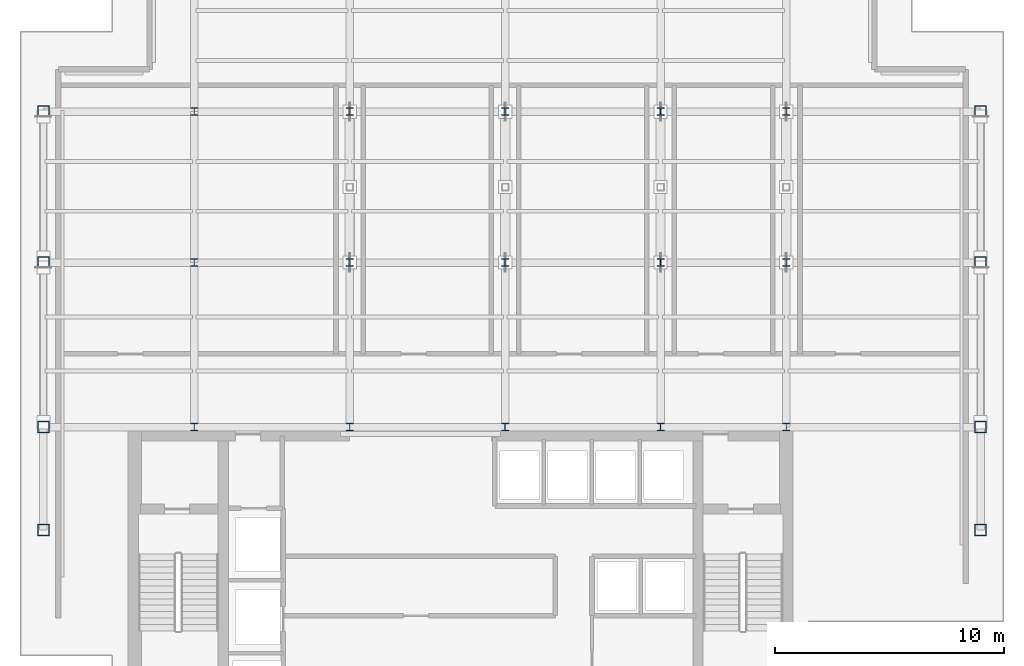
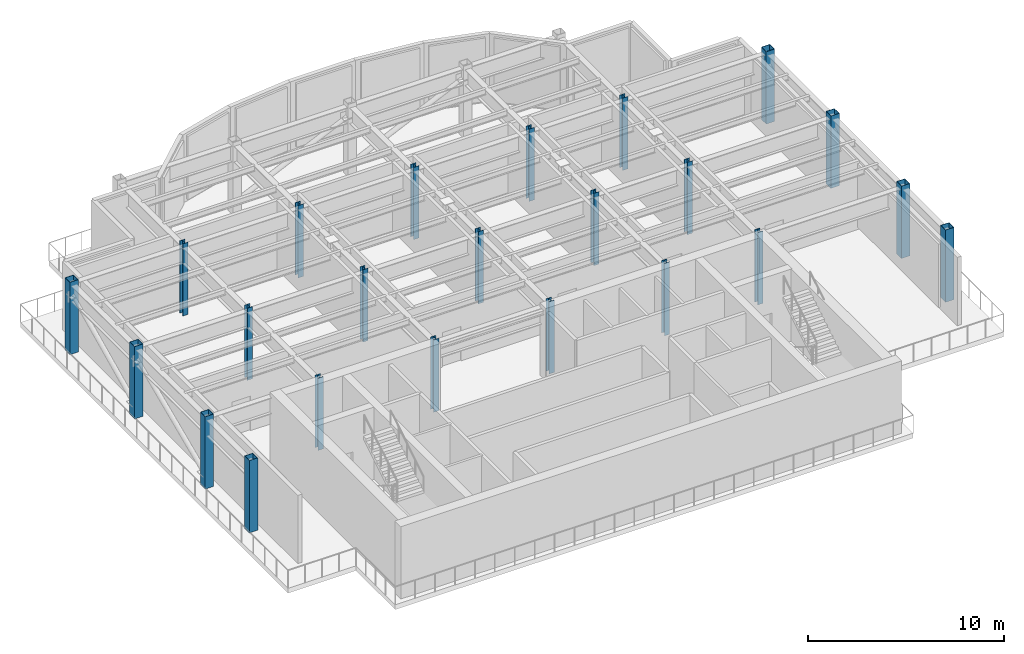
# One storey, part 1 of 7: 23 columns.
"""IFC4 building model written with IfcOpenShell, lengths in metres."""

from ifc_helpers import new_model, si_unit, derived_unit, direction, frame, origin, origin_2d, place, context, subcontext, project, spatial, hollow_rectangle, i_section, extrude, source, transform, mapped, material, material_profile, profile_set, type_object, element, save


model = new_model("IFC4")

# Units and contexts
model_context = context("Model", 3, precision=1e-05, world=origin(), true_north=direction((0.0, 1.0)))
body_context = subcontext(model_context, "Body", "Model", "MODEL_VIEW")
ifc_project = project(units=[si_unit("LENGTHUNIT", "METRE"), si_unit("AREAUNIT", "SQUARE_METRE"), si_unit("VOLUMEUNIT", "CUBIC_METRE"), si_unit("PLANEANGLEUNIT", "RADIAN"), si_unit("MASSUNIT", "GRAM", prefix="KILO"), derived_unit("THERMALTRANSMITTANCEUNIT", [(si_unit("POWERUNIT", "WATT"), 1), (si_unit("LENGTHUNIT", "METRE"), -2), (si_unit("THERMODYNAMICTEMPERATUREUNIT", "KELVIN"), -1)])], contexts=[model_context])

# Site, building, storey
site_placement = place(None, origin())
site = spatial("IfcSite", under=ifc_project, at=site_placement, CompositionType="ELEMENT")
building_placement = place(site_placement, origin())
building = spatial("IfcBuilding", under=site, at=building_placement, Name="Skarnbrae Concourse Arena and Tower", CompositionType="ELEMENT")
storey_placement = place(building_placement, frame((0.0, 0.0, 236.050048828125)))
storey = spatial("IfcBuildingStorey", under=building, at=storey_placement, Name="L61", CompositionType="ELEMENT", Elevation=236.050048828125)

# Columns
ifc_material = material(Name="Steel CSA G40.21 350W", Category="steel")
ifc_material_profile_1 = material_profile(ifc_material, hollow_rectangle(XDim=0.5, YDim=0.5, WallThickness=0.02197265625, at=origin_2d()), Name="HSS500X500X22.0")
ifc_profile_set_1 = profile_set([ifc_material_profile_1], Name="Steel CSA G40.21 350W")
column_type_1 = type_object("IfcColumnType", Name="COL-TUBE-HSS500", PredefinedType="COLUMN", material=ifc_profile_set_1)
shared_shape_1 = source(origin(), body_context, "Body", "SweptSolid", [
    extrude(hollow_rectangle(XDim=0.5, YDim=0.5, WallThickness=0.02197265625, at=origin_2d()), origin(), (0.0, 0.0, 1.0), 4.5),
])
for number, where, z_axis, x_axis, name in (
    (1, (1.0, 9.5, 0.0), (0.0, 0.0, 1.0), (1.0, 0.0, 0.0), "L61 Tower column PC_01_01"),
    (2, (1.0, 14.0, 0.0), (0.0, 0.0, 1.0), (1.0, 0.0, 0.0), "L61 Tower column PC_01_02"),
    (3, (1.0, 21.199951171875, 0.0), (0.0, 0.0, 1.0), (1.0, 0.0, 0.0), "L61 Tower column PC_01_03"),
    (4, (1.0, 27.800048828125, 0.0), (0.0, 0.0, 1.0), (1.0, 0.0, 0.0), "L61 Tower column PC_01_04"),
    (5, (42.0, 9.5, 0.0), (0.0, 0.0, 1.0), (1.0, 0.0, 0.0), "L61 Tower column PC_07_01"),
    (6, (42.0, 14.0, 0.0), (0.0, 0.0, 1.0), (1.0, 0.0, 0.0), "L61 Tower column PC_07_02"),
    (7, (42.0, 21.199951171875, 0.0), (0.0, 0.0, 1.0), (1.0, 0.0, 0.0), "L61 Tower column PC_07_03"),
    (8, (42.0, 27.800048828125, 0.0), (0.0, 0.0, 1.0), (1.0, 0.0, 0.0), "L61 Tower column PC_07_04"),
):
    element("IfcColumn", number, at=place(storey_placement, frame(where, z_axis=z_axis, x_axis=x_axis)), inside=storey, type_object=column_type_1, Name=name, PredefinedType="COLUMN", context=body_context, shape_type="MappedRepresentation", body=[
        mapped(shared_shape_1, transform((0.0, 0.0, 0.0))),
    ])
ifc_material_profile_2 = material_profile(ifc_material, i_section(OverallWidth=0.30908203125, OverallDepth=0.322998046875, WebThickness=0.013916015625, FlangeThickness=0.02294921875, at=origin_2d()), Name="W310X143")
ifc_profile_set_2 = profile_set([ifc_material_profile_2], Name="Steel CSA G40.21 350W")
column_type_2 = type_object("IfcColumnType", Name="COL-INT-W310X143", PredefinedType="COLUMN", material=ifc_profile_set_2)
shared_shape_2 = source(origin(), body_context, "Body", "SweptSolid", [
    extrude(i_section(OverallWidth=0.30908203125, OverallDepth=0.322998046875, WebThickness=0.013916015625, FlangeThickness=0.02294921875, at=origin_2d()), origin(), (0.0, 0.0, 1.0), 4.5),
])
for number, where, z_axis, x_axis, name in (
    (9, (7.60009765625, 14.0, 0.0), (0.0, 0.0, 1.0), (1.0, 0.0, 0.0), "L61 Tower column IC_02_02"),
    (10, (7.60009765625, 21.199951171875, 0.0), (0.0, 0.0, 1.0), (1.0, 0.0, 0.0), "L61 Tower column IC_02_03"),
    (11, (7.60009765625, 27.800048828125, 0.0), (0.0, 0.0, 1.0), (1.0, 0.0, 0.0), "L61 Tower column IC_02_04"),
    (12, (14.39990234375, 14.0, 0.0), (0.0, 0.0, 1.0), (1.0, 0.0, 0.0), "L61 Tower column IC_03_02"),
    (13, (14.39990234375, 21.199951171875, 0.0), (0.0, 0.0, 1.0), (1.0, 0.0, 0.0), "L61 Tower column IC_03_03"),
    (14, (14.39990234375, 27.800048828125, 0.0), (0.0, 0.0, 1.0), (1.0, 0.0, 0.0), "L61 Tower column IC_03_04"),
    (15, (21.199951171875, 14.0, 0.0), (0.0, 0.0, 1.0), (1.0, 0.0, 0.0), "L61 Tower column IC_04_02"),
    (16, (21.199951171875, 21.199951171875, 0.0), (0.0, 0.0, 1.0), (1.0, 0.0, 0.0), "L61 Tower column IC_04_03"),
    (17, (21.199951171875, 27.800048828125, 0.0), (0.0, 0.0, 1.0), (1.0, 0.0, 0.0), "L61 Tower column IC_04_04"),
    (18, (28.0, 14.0, 0.0), (0.0, 0.0, 1.0), (1.0, 0.0, 0.0), "L61 Tower column IC_05_02"),
    (19, (28.0, 21.199951171875, 0.0), (0.0, 0.0, 1.0), (1.0, 0.0, 0.0), "L61 Tower column IC_05_03"),
    (20, (28.0, 27.800048828125, 0.0), (0.0, 0.0, 1.0), (1.0, 0.0, 0.0), "L61 Tower column IC_05_04"),
    (21, (33.5, 14.0, 0.0), (0.0, 0.0, 1.0), (1.0, 0.0, 0.0), "L61 Tower column IC_06_02"),
    (22, (33.5, 21.199951171875, 0.0), (0.0, 0.0, 1.0), (1.0, 0.0, 0.0), "L61 Tower column IC_06_03"),
    (23, (33.5, 27.800048828125, 0.0), (0.0, 0.0, 1.0), (1.0, 0.0, 0.0), "L61 Tower column IC_06_04"),
):
    element("IfcColumn", number, at=place(storey_placement, frame(where, z_axis=z_axis, x_axis=x_axis)), inside=storey, type_object=column_type_2, Name=name, PredefinedType="COLUMN", context=body_context, shape_type="MappedRepresentation", body=[
        mapped(shared_shape_2, transform((0.0, 0.0, 0.0))),
    ])

save(model, "model.ifc")
